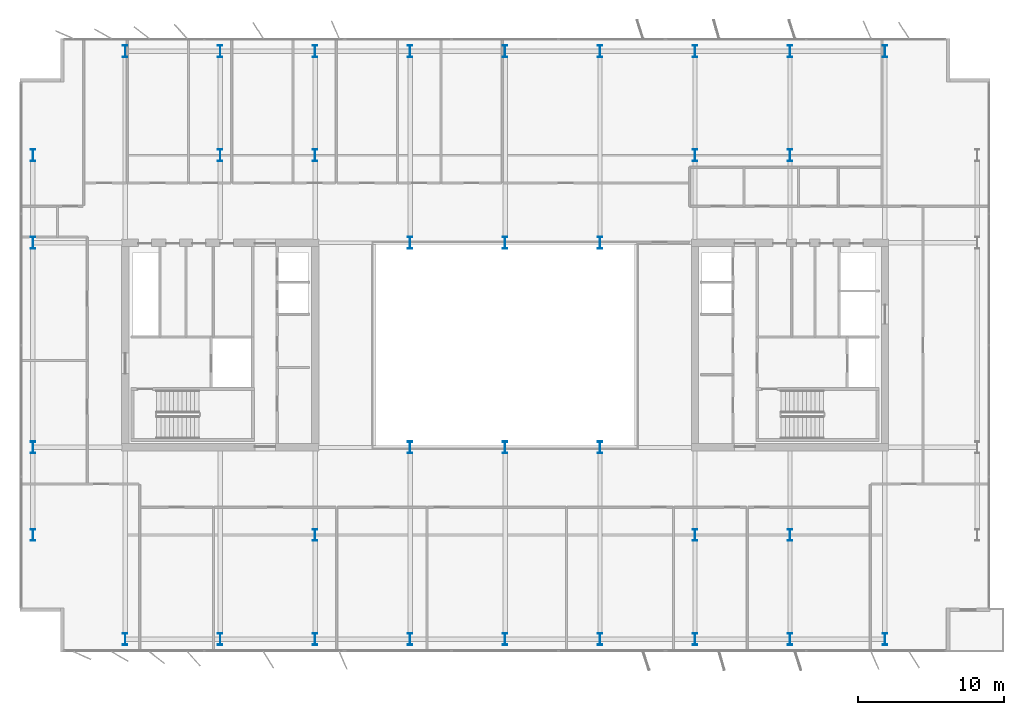
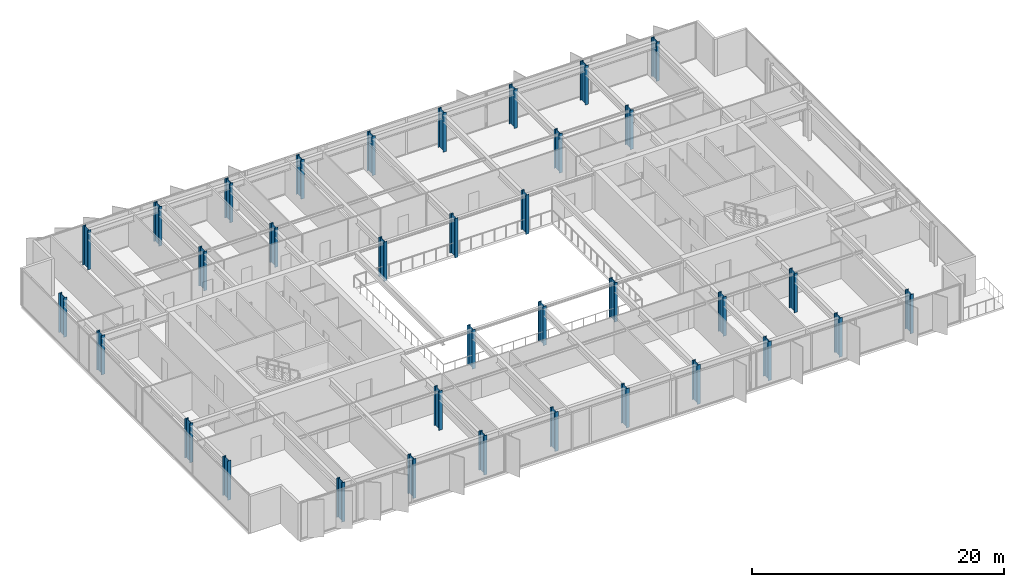
# One storey, part 1 of 24: 35 columns.
"""IFC4 building model written with IfcOpenShell, lengths in metres."""

from ifc_helpers import new_model, si_unit, direction, frame, origin, origin_2d, place, context, subcontext, project, spatial, i_section, extrude, material, material_profile, profile_set, type_object, element, save


model = new_model("IFC4")

# Units and contexts
model_context = context("Model", 3, precision=1e-05, world=origin(), true_north=direction((0.0, 1.0)))
body_context = subcontext(model_context, "Body", "Model", "MODEL_VIEW")
ifc_project = project(units=[si_unit("LENGTHUNIT", "METRE"), si_unit("AREAUNIT", "SQUARE_METRE"), si_unit("VOLUMEUNIT", "CUBIC_METRE"), si_unit("PLANEANGLEUNIT", "RADIAN"), si_unit("MASSUNIT", "GRAM", prefix="KILO")], contexts=[model_context])

# Site, building, storey
site_placement = place(None, origin())
site = spatial("IfcSite", under=ifc_project, at=site_placement, CompositionType="ELEMENT")
building_placement = place(site_placement, origin())
building = spatial("IfcBuilding", under=site, at=building_placement, Name="Putna Gate Headquarters", CompositionType="ELEMENT")
storey_placement = place(building_placement, frame((0.0, 0.0, 248.0)))
storey = spatial("IfcBuildingStorey", under=building, at=storey_placement, Name="L62", CompositionType="ELEMENT", Elevation=248.0)

# Columns
ifc_material = material(Name="Steel S460M", Category="steel")
ifc_material_profile_1 = material_profile(ifc_material, i_section(OverallWidth=0.302978515625, OverallDepth=0.81396484375, WebThickness=0.02099609375, FlangeThickness=0.0400390625, at=origin_2d()), Name="Steel S460M")
ifc_profile_set_1 = profile_set([ifc_material_profile_1], Name="Steel S460M")
column_type_1 = type_object("IfcColumnType", Name="COL-STL-HEM800-EXT", PredefinedType="COLUMN", material=ifc_profile_set_1)
for number, where, z_axis, x_axis, name in (
    (1, (13.0, 5.8798828125, 0.0), (0.0, 0.0, 1.0), (1.0, 0.0, 0.0), "L62 Column CP-S13"),
    (2, (13.0, 46.1201171875, 0.0), (0.0, 0.0, 1.0), (1.0, 0.0, 0.0), "L62 Column CP-N13"),
    (3, (19.5, 5.8798828125, 0.0), (0.0, 0.0, 1.0), (1.0, 0.0, 0.0), "L62 Column CP-S19"),
    (4, (19.5, 46.1201171875, 0.0), (0.0, 0.0, 1.0), (1.0, 0.0, 0.0), "L62 Column CP-N19"),
    (5, (26.0, 5.8798828125, 0.0), (0.0, 0.0, 1.0), (1.0, 0.0, 0.0), "L62 Column CP-S26"),
    (6, (26.0, 46.1201171875, 0.0), (0.0, 0.0, 1.0), (1.0, 0.0, 0.0), "L62 Column CP-N26"),
    (7, (32.5, 5.8798828125, 0.0), (0.0, 0.0, 1.0), (1.0, 0.0, 0.0), "L62 Column CP-S32"),
    (8, (32.5, 46.1201171875, 0.0), (0.0, 0.0, 1.0), (1.0, 0.0, 0.0), "L62 Column CP-N32"),
    (9, (39.0, 5.8798828125, 0.0), (0.0, 0.0, 1.0), (1.0, 0.0, 0.0), "L62 Column CP-S39"),
    (10, (39.0, 46.1201171875, 0.0), (0.0, 0.0, 1.0), (1.0, 0.0, 0.0), "L62 Column CP-N39"),
    (11, (45.5, 5.8798828125, 0.0), (0.0, 0.0, 1.0), (1.0, 0.0, 0.0), "L62 Column CP-S45"),
    (12, (45.5, 46.1201171875, 0.0), (0.0, 0.0, 1.0), (1.0, 0.0, 0.0), "L62 Column CP-N45"),
    (13, (52.0, 5.8798828125, 0.0), (0.0, 0.0, 1.0), (1.0, 0.0, 0.0), "L62 Column CP-S52"),
    (14, (52.0, 46.1201171875, 0.0), (0.0, 0.0, 1.0), (1.0, 0.0, 0.0), "L62 Column CP-N52"),
    (15, (58.5, 5.8798828125, 0.0), (0.0, 0.0, 1.0), (1.0, 0.0, 0.0), "L62 Column CP-S58"),
    (16, (58.5, 46.1201171875, 0.0), (0.0, 0.0, 1.0), (1.0, 0.0, 0.0), "L62 Column CP-N58"),
    (17, (65.0, 5.8798828125, 0.0), (0.0, 0.0, 1.0), (1.0, 0.0, 0.0), "L62 Column CP-S65"),
    (18, (65.0, 46.1201171875, 0.0), (0.0, 0.0, 1.0), (1.0, 0.0, 0.0), "L62 Column CP-N65"),
    (19, (6.679931640625, 13.0, 0.0), (0.0, 0.0, 1.0), (1.0, 0.0, 0.0), "L62 Column CP-W13"),
    (20, (6.679931640625, 19.0, 0.0), (0.0, 0.0, 1.0), (1.0, 0.0, 0.0), "L62 Column CP-W19"),
    (21, (6.679931640625, 33.0, 0.0), (0.0, 0.0, 1.0), (1.0, 0.0, 0.0), "L62 Column CP-W33"),
    (22, (6.679931640625, 39.0, 0.0), (0.0, 0.0, 1.0), (1.0, 0.0, 0.0), "L62 Column CP-W39"),
):
    element("IfcColumn", number, at=place(storey_placement, frame(where, z_axis=z_axis, x_axis=x_axis)), inside=storey, type_object=column_type_1, Name=name, PredefinedType="COLUMN", context=body_context, shape_type="SweptSolid", body=[
        extrude(i_section(OverallWidth=0.302978515625, OverallDepth=0.81396484375, WebThickness=0.02099609375, FlangeThickness=0.0400390625, at=origin_2d()), origin(), (0.0, 0.0, 1.0), 3.800048828125),
    ])
ifc_material_profile_2 = material_profile(ifc_material, i_section(OverallWidth=0.302978515625, OverallDepth=0.81396484375, WebThickness=0.02099609375, FlangeThickness=0.0400390625, at=origin_2d()), Name="Steel S460M")
ifc_profile_set_2 = profile_set([ifc_material_profile_2], Name="Steel S460M")
column_type_2 = type_object("IfcColumnType", Name="COL-STL-HEM800-INT", PredefinedType="COLUMN", material=ifc_profile_set_2)
for number, where, z_axis, x_axis, name in (
    (23, (19.5, 39.0, 0.0), (0.0, 0.0, 1.0), (1.0, 0.0, 0.0), "L62 Column CSI-WN"),
    (24, (58.5, 13.0, 0.0), (0.0, 0.0, 1.0), (1.0, 0.0, 0.0), "L62 Column CSI-ES"),
    (25, (58.5, 39.0, 0.0), (0.0, 0.0, 1.0), (1.0, 0.0, 0.0), "L62 Column CSI-EN"),
    (26, (32.5, 19.0, 0.0), (0.0, 0.0, 1.0), (1.0, 0.0, 0.0), "L62 Column CAI-S32"),
    (27, (32.5, 33.0, 0.0), (0.0, 0.0, 1.0), (1.0, 0.0, 0.0), "L62 Column CAI-N32"),
    (28, (39.0, 19.0, 0.0), (0.0, 0.0, 1.0), (1.0, 0.0, 0.0), "L62 Column CAI-S39"),
    (29, (39.0, 33.0, 0.0), (0.0, 0.0, 1.0), (1.0, 0.0, 0.0), "L62 Column CAI-N39"),
    (30, (45.5, 19.0, 0.0), (0.0, 0.0, 1.0), (1.0, 0.0, 0.0), "L62 Column CAI-S45"),
    (31, (45.5, 33.0, 0.0), (0.0, 0.0, 1.0), (1.0, 0.0, 0.0), "L62 Column CAI-N45"),
    (32, (26.0, 13.0, 0.0), (0.0, 0.0, 1.0), (1.0, 0.0, 0.0), "L62 Column CAP-WS"),
    (33, (26.0, 39.0, 0.0), (0.0, 0.0, 1.0), (1.0, 0.0, 0.0), "L62 Column CAP-WN"),
    (34, (52.0, 13.0, 0.0), (0.0, 0.0, 1.0), (1.0, 0.0, 0.0), "L62 Column CAP-ES"),
    (35, (52.0, 39.0, 0.0), (0.0, 0.0, 1.0), (1.0, 0.0, 0.0), "L62 Column CAP-EN"),
):
    element("IfcColumn", number, at=place(storey_placement, frame(where, z_axis=z_axis, x_axis=x_axis)), inside=storey, type_object=column_type_2, Name=name, PredefinedType="COLUMN", context=body_context, shape_type="SweptSolid", body=[
        extrude(i_section(OverallWidth=0.302978515625, OverallDepth=0.81396484375, WebThickness=0.02099609375, FlangeThickness=0.0400390625, at=origin_2d()), origin(), (0.0, 0.0, 1.0), 3.800048828125),
    ])

save(model, "model.ifc")
